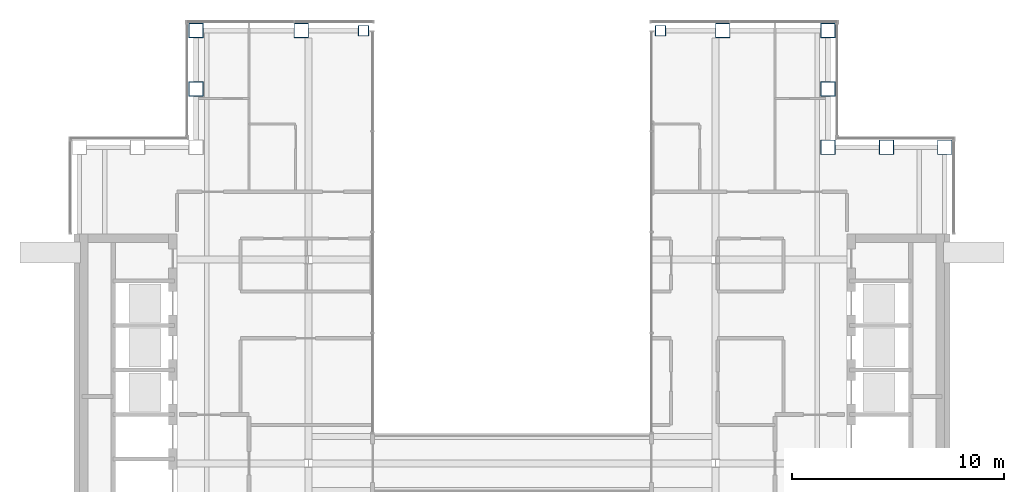
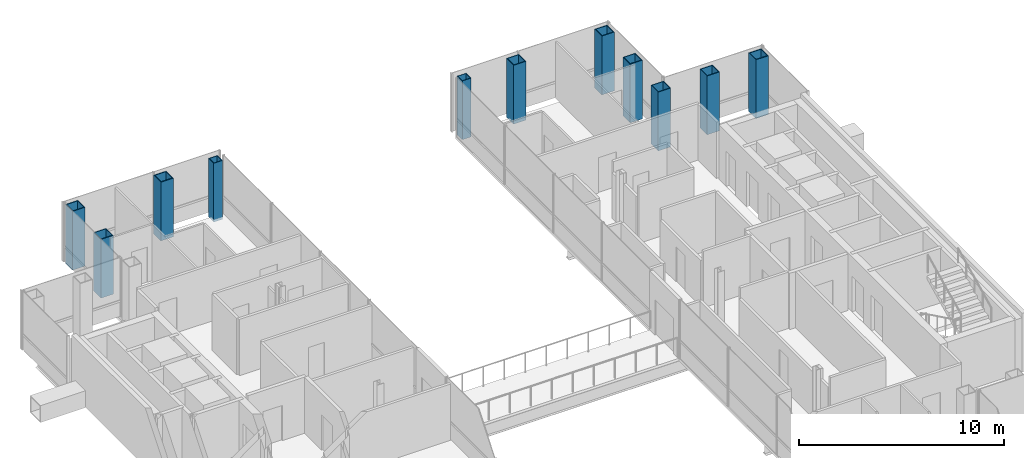
# One storey, part 2 of 16: 11 columns.
"""IFC4 building model written with IfcOpenShell, lengths in metres."""

from ifc_helpers import new_model, si_unit, direction, frame, origin, origin_2d, place, context, subcontext, project, spatial, hollow_rectangle, extrude, material, material_profile, profile_set, type_object, element, save


model = new_model("IFC4")

# Units and contexts
model_context = context("Model", 3, precision=1e-05, world=origin(), true_north=direction((0.0, 1.0)))
body_context = subcontext(model_context, "Body", "Model", "MODEL_VIEW")
ifc_project = project(units=[si_unit("LENGTHUNIT", "METRE"), si_unit("AREAUNIT", "SQUARE_METRE"), si_unit("VOLUMEUNIT", "CUBIC_METRE"), si_unit("PLANEANGLEUNIT", "RADIAN"), si_unit("MASSUNIT", "GRAM", prefix="KILO")], contexts=[model_context])

# Site, building, storey
site_placement = place(None, origin())
site = spatial("IfcSite", under=ifc_project, at=site_placement, CompositionType="ELEMENT")
building_placement = place(site_placement, origin())
building = spatial("IfcBuilding", under=site, at=building_placement, Name="Cobrizo Arcos Hotel Tower", CompositionType="ELEMENT")
storey_placement = place(building_placement, frame((0.0, 0.0, 229.5)))
storey = spatial("IfcBuildingStorey", under=building, at=storey_placement, Name="L60", CompositionType="ELEMENT", Elevation=229.5)

# Columns
ifc_material = material(Name="Steel ASTM A572 Grade 50", Category="steel")
ifc_material_profile_1 = material_profile(ifc_material, hollow_rectangle(XDim=0.5, YDim=0.5, WallThickness=0.030029296875, at=origin_2d()), Name="BOX 500X500X30")
ifc_profile_set_1 = profile_set([ifc_material_profile_1], Name="Steel ASTM A572 Grade 50")
column_type_1 = type_object("IfcColumnType", Name="BOX 500X500X30 column", PredefinedType="COLUMN", material=ifc_profile_set_1)
for number, where, z_axis, x_axis, name in (
    (1, (-7.0, 20.39990234375, -0.14990234375), (0.0, 0.0, 1.0), (1.0, 0.0, 0.0), "Perimeter column C11, L60, no. 24"),
    (2, (7.0, 20.39990234375, -0.14990234375), (0.0, 0.0, 1.0), (1.0, 0.0, 0.0), "Perimeter column C11, L60, no. 26"),
):
    element("IfcColumn", number, at=place(storey_placement, frame(where, z_axis=z_axis, x_axis=x_axis)), inside=storey, type_object=column_type_1, Name=name, PredefinedType="COLUMN", context=body_context, shape_type="SweptSolid", body=[
        extrude(hollow_rectangle(XDim=0.5, YDim=0.5, WallThickness=0.030029296875, at=origin_2d()), origin(), (0.0, 0.0, 1.0), 3.5),
    ])
ifc_material_profile_2 = material_profile(ifc_material, hollow_rectangle(XDim=0.699951171875, YDim=0.699951171875, WallThickness=0.0400390625, at=origin_2d()), Name="BOX 700X700X40")
ifc_profile_set_2 = profile_set([ifc_material_profile_2], Name="Steel ASTM A572 Grade 50")
column_type_2 = type_object("IfcColumnType", Name="BOX 700X700X40 column", PredefinedType="COLUMN", material=ifc_profile_set_2)
for number, where, z_axis, x_axis, name in (
    (3, (-14.89990234375, 20.39990234375, -0.14990234375), (0.0, 0.0, 1.0), (1.0, 0.0, 0.0), "Perimeter column C10, L60, no. 00"),
    (4, (-9.93310546875, 20.39990234375, -0.14990234375), (0.0, 0.0, 1.0), (1.0, 0.0, 0.0), "Perimeter column C10, L60, no. 02"),
    (5, (9.93310546875, 20.39990234375, -0.14990234375), (0.0, 0.0, 1.0), (1.0, 0.0, 0.0), "Perimeter column C10, L60, no. 04"),
    (6, (14.89990234375, 20.39990234375, -0.14990234375), (0.0, 0.0, 1.0), (1.0, 0.0, 0.0), "Perimeter column C10, L60, no. 06"),
    (7, (20.39990234375, 14.89990234375, -0.14990234375), (0.0, 0.0, 1.0), (1.0, 0.0, 0.0), "Perimeter column C10, L60, no. 10"),
    (8, (-14.89990234375, 17.64990234375, -0.14990234375), (0.0, 0.0, 1.0), (1.0, 0.0, 0.0), "Perimeter column C10, L60, no. 16"),
    (9, (14.89990234375, 14.89990234375, -0.14990234375), (0.0, 0.0, 1.0), (1.0, 0.0, 0.0), "Perimeter column C10, L60, no. 21"),
    (10, (14.89990234375, 17.64990234375, -0.14990234375), (0.0, 0.0, 1.0), (1.0, 0.0, 0.0), "Perimeter column C10, L60, no. 22"),
    (11, (17.64990234375, 14.89990234375, -0.14990234375), (0.0, 0.0, 1.0), (1.0, 0.0, 0.0), "Perimeter column C10, L60, no. 23"),
):
    element("IfcColumn", number, at=place(storey_placement, frame(where, z_axis=z_axis, x_axis=x_axis)), inside=storey, type_object=column_type_2, Name=name, PredefinedType="COLUMN", context=body_context, shape_type="SweptSolid", body=[
        extrude(hollow_rectangle(XDim=0.699951171875, YDim=0.699951171875, WallThickness=0.0400390625, at=origin_2d()), origin(), (0.0, 0.0, 1.0), 3.5),
    ])

save(model, "model.ifc")
